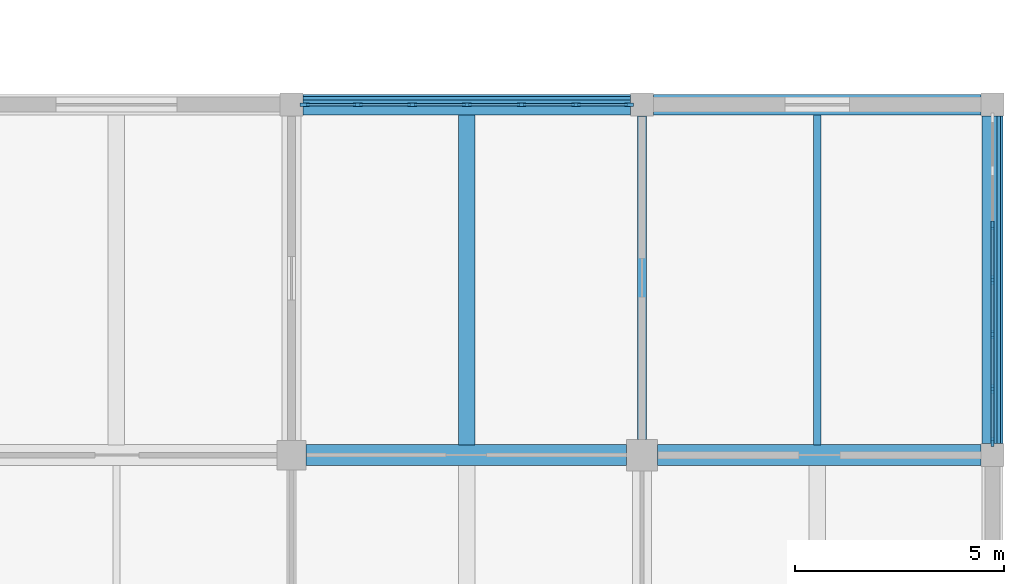
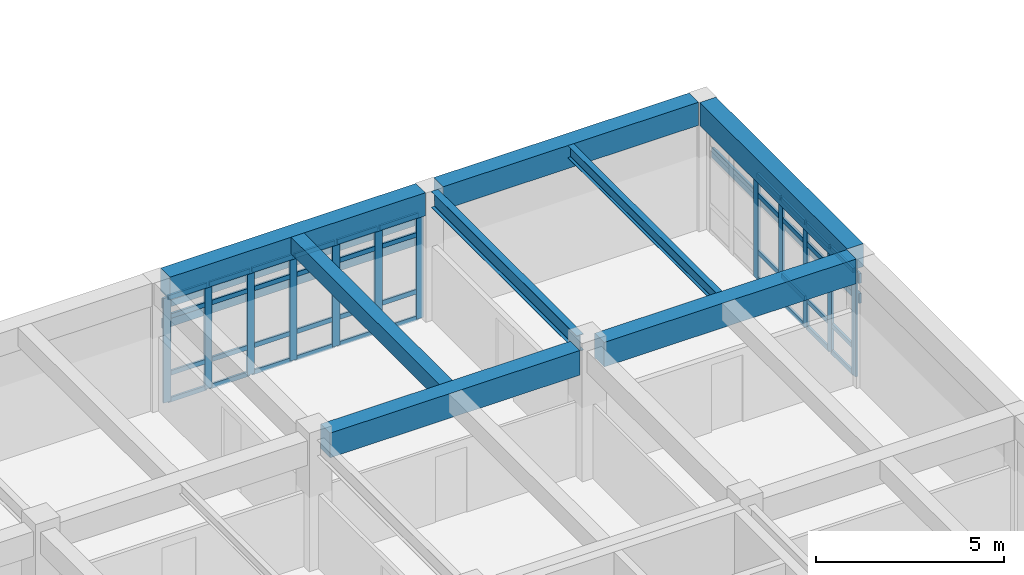
# One storey, part 51 of 99: 56 members, 8 beams, 2 elements without a shape of their own.
"""IFC4 building model written with IfcOpenShell, lengths in metres."""

from ifc_helpers import new_model, si_unit, direction, frame, origin, origin_2d, place, context, subcontext, project, spatial, rectangle, i_section, extrude, material, layer, layer_set, material_profile, profile_set, type_object, element, aggregate, save


model = new_model("IFC4")

# Units and contexts
model_context = context("Model", 3, precision=1e-05, world=origin(), true_north=direction((0.0, 1.0)))
body_context = subcontext(model_context, "Body", "Model", "MODEL_VIEW")
ifc_project = project(units=[si_unit("LENGTHUNIT", "METRE"), si_unit("AREAUNIT", "SQUARE_METRE"), si_unit("VOLUMEUNIT", "CUBIC_METRE"), si_unit("PLANEANGLEUNIT", "RADIAN"), si_unit("MASSUNIT", "GRAM", prefix="KILO")], contexts=[model_context])

# Site, building, storey
site_placement = place(None, origin())
site = spatial("IfcSite", under=ifc_project, at=site_placement, CompositionType="ELEMENT")
building_placement = place(site_placement, origin())
building = spatial("IfcBuilding", under=site, at=building_placement, Name="Porcellanite Civic Hall", CompositionType="ELEMENT")
storey_placement = place(building_placement, frame((0.0, 0.0, 5.760009765625)))
storey = spatial("IfcBuildingStorey", under=building, at=storey_placement, Name="L01", CompositionType="ELEMENT", Elevation=5.760009765625)

# Beams
ifc_material_1 = material(Name="Concrete N50 (50 MPa)", Category="concrete")
ifc_material_profile_1 = material_profile(ifc_material_1, rectangle(XDim=0.39990234375, YDim=0.550048828125, at=origin_2d()), Name="RC-400x550")
ifc_profile_set_1 = profile_set([ifc_material_profile_1], Name="Concrete N50 (50 MPa)")
beam_type_1 = type_object("IfcBeamType", Name="BM-RC550", PredefinedType="JOIST", material=ifc_profile_set_1)
beam_1_placement = place(storey_placement, frame((163.800048828125, 67.449462890625, 3.925048828125), z_axis=(0.0, 1.0, 0.0), x_axis=(-1.0, 0.0, 0.0)))
element("IfcBeam", 1, at=beam_1_placement, inside=storey, type_object=beam_type_1, Name="Secondary joist L01 20-9", PredefinedType="JOIST", context=body_context, shape_type="SweptSolid", body=[
    extrude(rectangle(XDim=0.39990234375, YDim=0.550048828125, at=origin_2d()), origin(), (0.0, 0.0, 1.0), 7.901123046875),
])
ifc_material_2 = material(Name="Concrete N50 (50 MPa)", Category="concrete")
ifc_material_profile_2 = material_profile(ifc_material_2, rectangle(XDim=0.5, YDim=0.75, at=origin_2d()), Name="RC-500x750")
ifc_profile_set_2 = profile_set([ifc_material_profile_2], Name="Concrete N50 (50 MPa)")
beam_type_2 = type_object("IfcBeamType", Name="BM-RC750", PredefinedType="SPANDREL", material=ifc_profile_set_2)
for number, where, z_axis, x_axis, name in (
    (2, (159.87451171875, 75.60009765625, 3.824951171875), (1.0, 0.0, 0.0), (0.0, 1.0, 0.0), "Beam X L01 20-10"),
    (3, (168.2744140625, 75.60009765625, 3.824951171875), (1.0, 0.0, 0.0), (0.0, 1.0, 0.0), "Beam X L01 21-10"),
):
    element("IfcBeam", number, at=place(storey_placement, frame(where, z_axis=z_axis, x_axis=x_axis)), inside=storey, type_object=beam_type_2, Name=name, PredefinedType="SPANDREL", context=body_context, shape_type="SweptSolid", body=[
        extrude(rectangle(XDim=0.5, YDim=0.75, at=origin_2d()), origin(), (0.0, 0.0, 1.0), 7.85107421875),
    ])
beam_2_placement = place(storey_placement, frame((176.39990234375, 67.474609375, 3.824951171875), z_axis=(0.0, 1.0, 0.0), x_axis=(-1.0, 0.0, 0.0)))
element("IfcBeam", 4, at=beam_2_placement, inside=storey, type_object=beam_type_2, Name="Beam Y L01 22-9", PredefinedType="SPANDREL", context=body_context, shape_type="SweptSolid", body=[
    extrude(rectangle(XDim=0.5, YDim=0.75, at=origin_2d()), origin(), (0.0, 0.0, 1.0), 7.850830078125),
])
ifc_material_3 = material(Name="Concrete N50 (50 MPa)", Category="concrete")
ifc_material_profile_3 = material_profile(ifc_material_3, rectangle(XDim=0.5, YDim=0.800048828125, at=origin_2d()), Name="RC-500x800")
ifc_profile_set_3 = profile_set([ifc_material_profile_3], Name="Concrete N50 (50 MPa)")
beam_type_3 = type_object("IfcBeamType", Name="BM-RC800", PredefinedType="BEAM", material=ifc_profile_set_3)
beam_3_placement = place(storey_placement, frame((159.949462890625, 67.199951171875, 3.800048828125), z_axis=(1.0, 0.0, 0.0), x_axis=(0.0, 1.0, 0.0)))
element("IfcBeam", 5, at=beam_3_placement, inside=storey, type_object=beam_type_3, Name="Beam X L01 20-9", PredefinedType="BEAM", context=body_context, shape_type="SweptSolid", body=[
    extrude(rectangle(XDim=0.5, YDim=0.800048828125, at=origin_2d()), origin(), (0.0, 0.0, 1.0), 7.676025390625),
])
beam_4_placement = place(storey_placement, frame((168.37451171875, 67.199951171875, 3.800048828125), z_axis=(1.0, 0.0, 0.0), x_axis=(0.0, 1.0, 0.0)))
element("IfcBeam", 6, at=beam_4_placement, inside=storey, type_object=beam_type_3, Name="Beam X L01 21-9", PredefinedType="BEAM", context=body_context, shape_type="SweptSolid", body=[
    extrude(rectangle(XDim=0.5, YDim=0.800048828125, at=origin_2d()), origin(), (0.0, 0.0, 1.0), 7.7509765625),
])

# Curtain wall, members
ifc_material_4 = material(Name="Anodised aluminium and solar laminated glass", Category="aluminium")
ifc_layer = layer(ifc_material_4, 0.179931640625)
ifc_layer_set = layer_set([ifc_layer], Name="Anodised aluminium and solar laminated glass")
curtain_wall_type = type_object("IfcCurtainWallType", Name="CW-SYS02", PredefinedType="NOTDEFINED", material=ifc_layer_set)
curtain_wall_1_placement = place(storey_placement, origin())
curtain_wall_1 = element("IfcCurtainWall", 7, at=curtain_wall_1_placement, inside=storey, type_object=curtain_wall_type, Name="Curtain wall CW-126", PredefinedType="NOTDEFINED")
ifc_material_5 = material(Name="Anodised aluminium 6063-T6", Category="aluminium")
ifc_material_profile_4 = material_profile(ifc_material_5, rectangle(XDim=0.074951171875, YDim=0.219970703125, at=origin_2d()), Name="AL-75x220")
ifc_profile_set_4 = profile_set([ifc_material_profile_4], Name="Anodised aluminium 6063-T6")
member_type_1 = type_object("IfcMemberType", Name="CWM-03", PredefinedType="MULLION", material=ifc_profile_set_4)
member_1_placement = place(storey_placement, frame((159.91357421875, 75.60009765625, 0.0), z_axis=(0.0, 0.0, 1.0), x_axis=(0.0, 1.0, 0.0)))
member_1 = element("IfcMember", 8, at=member_1_placement, type_object=member_type_1, Name="CW-126 mullion 1", PredefinedType="MULLION", context=body_context, shape_type="SweptSolid", body=[
    extrude(rectangle(XDim=0.074951171875, YDim=0.219970703125, at=origin_2d()), origin(), (0.0, 0.0, 1.0), 3.39990234375),
])
member_2_placement = place(storey_placement, frame((161.18408203125, 75.60009765625, 0.0), z_axis=(0.0, 0.0, 1.0), x_axis=(0.0, 1.0, 0.0)))
member_2 = element("IfcMember", 9, at=member_2_placement, type_object=member_type_1, Name="CW-126 mullion 2", PredefinedType="MULLION", context=body_context, shape_type="SweptSolid", body=[
    extrude(rectangle(XDim=0.074951171875, YDim=0.219970703125, at=origin_2d()), origin(), (0.0, 0.0, 1.0), 3.39990234375),
])
member_3_placement = place(storey_placement, frame((162.491943359375, 75.60009765625, 0.0), z_axis=(0.0, 0.0, 1.0), x_axis=(0.0, 1.0, 0.0)))
member_3 = element("IfcMember", 10, at=member_3_placement, type_object=member_type_1, Name="CW-126 mullion 3", PredefinedType="MULLION", context=body_context, shape_type="SweptSolid", body=[
    extrude(rectangle(XDim=0.074951171875, YDim=0.219970703125, at=origin_2d()), origin(), (0.0, 0.0, 1.0), 3.39990234375),
])
member_4_placement = place(storey_placement, frame((163.800048828125, 75.60009765625, 0.0), z_axis=(0.0, 0.0, 1.0), x_axis=(0.0, 1.0, 0.0)))
member_4 = element("IfcMember", 11, at=member_4_placement, type_object=member_type_1, Name="CW-126 mullion 4", PredefinedType="MULLION", context=body_context, shape_type="SweptSolid", body=[
    extrude(rectangle(XDim=0.074951171875, YDim=0.219970703125, at=origin_2d()), origin(), (0.0, 0.0, 1.0), 3.39990234375),
])
member_5_placement = place(storey_placement, frame((165.10791015625, 75.60009765625, 0.0), z_axis=(0.0, 0.0, 1.0), x_axis=(0.0, 1.0, 0.0)))
member_5 = element("IfcMember", 12, at=member_5_placement, type_object=member_type_1, Name="CW-126 mullion 5", PredefinedType="MULLION", context=body_context, shape_type="SweptSolid", body=[
    extrude(rectangle(XDim=0.074951171875, YDim=0.219970703125, at=origin_2d()), origin(), (0.0, 0.0, 1.0), 3.39990234375),
])
member_6_placement = place(storey_placement, frame((166.416015625, 75.60009765625, 0.0), z_axis=(0.0, 0.0, 1.0), x_axis=(0.0, 1.0, 0.0)))
member_6 = element("IfcMember", 13, at=member_6_placement, type_object=member_type_1, Name="CW-126 mullion 6", PredefinedType="MULLION", context=body_context, shape_type="SweptSolid", body=[
    extrude(rectangle(XDim=0.074951171875, YDim=0.219970703125, at=origin_2d()), origin(), (0.0, 0.0, 1.0), 3.39990234375),
])
member_7_placement = place(storey_placement, frame((167.6865234375, 75.60009765625, 0.0), z_axis=(0.0, 0.0, 1.0), x_axis=(0.0, 1.0, 0.0)))
member_7 = element("IfcMember", 14, at=member_7_placement, type_object=member_type_1, Name="CW-126 mullion 7", PredefinedType="MULLION", context=body_context, shape_type="SweptSolid", body=[
    extrude(rectangle(XDim=0.074951171875, YDim=0.219970703125, at=origin_2d()), origin(), (0.0, 0.0, 1.0), 3.39990234375),
])

curtain_wall_2_placement = place(storey_placement, origin())
curtain_wall_2 = element("IfcCurtainWall", 15, at=curtain_wall_2_placement, inside=storey, type_object=curtain_wall_type, Name="Curtain wall CW-131", PredefinedType="NOTDEFINED")
member_8_placement = place(storey_placement, frame((176.39990234375, 72.7080078125, 0.0), z_axis=(0.0, 0.0, 1.0), x_axis=(1.0, 0.0, 0.0)))
member_8 = element("IfcMember", 16, at=member_8_placement, type_object=member_type_1, Name="CW-131 mullion 3", PredefinedType="MULLION", context=body_context, shape_type="SweptSolid", body=[
    extrude(rectangle(XDim=0.074951171875, YDim=0.219970703125, at=origin_2d()), origin(), (0.0, 0.0, 1.0), 3.39990234375),
])
member_9_placement = place(storey_placement, frame((176.39990234375, 71.39990234375, 0.0), z_axis=(0.0, 0.0, 1.0), x_axis=(1.0, 0.0, 0.0)))
member_9 = element("IfcMember", 17, at=member_9_placement, type_object=member_type_1, Name="CW-131 mullion 4", PredefinedType="MULLION", context=body_context, shape_type="SweptSolid", body=[
    extrude(rectangle(XDim=0.074951171875, YDim=0.219970703125, at=origin_2d()), origin(), (0.0, 0.0, 1.0), 3.39990234375),
])
member_10_placement = place(storey_placement, frame((176.39990234375, 70.092041015625, 0.0), z_axis=(0.0, 0.0, 1.0), x_axis=(1.0, 0.0, 0.0)))
member_10 = element("IfcMember", 18, at=member_10_placement, type_object=member_type_1, Name="CW-131 mullion 5", PredefinedType="MULLION", context=body_context, shape_type="SweptSolid", body=[
    extrude(rectangle(XDim=0.074951171875, YDim=0.219970703125, at=origin_2d()), origin(), (0.0, 0.0, 1.0), 3.39990234375),
])
member_11_placement = place(storey_placement, frame((176.39990234375, 68.783935546875, 0.0), z_axis=(0.0, 0.0, 1.0), x_axis=(1.0, 0.0, 0.0)))
member_11 = element("IfcMember", 19, at=member_11_placement, type_object=member_type_1, Name="CW-131 mullion 6", PredefinedType="MULLION", context=body_context, shape_type="SweptSolid", body=[
    extrude(rectangle(XDim=0.074951171875, YDim=0.219970703125, at=origin_2d()), origin(), (0.0, 0.0, 1.0), 3.39990234375),
])
member_12_placement = place(storey_placement, frame((176.39990234375, 67.513427734375, 0.0), z_axis=(0.0, 0.0, 1.0), x_axis=(1.0, 0.0, 0.0)))
member_12 = element("IfcMember", 20, at=member_12_placement, type_object=member_type_1, Name="CW-131 mullion 7", PredefinedType="MULLION", context=body_context, shape_type="SweptSolid", body=[
    extrude(rectangle(XDim=0.074951171875, YDim=0.219970703125, at=origin_2d()), origin(), (0.0, 0.0, 1.0), 3.39990234375),
])

# Member
ifc_material_6 = material(Name="Anodised aluminium 6063-T6", Category="aluminium")
ifc_material_profile_5 = material_profile(ifc_material_6, rectangle(XDim=0.06494140625, YDim=0.14990234375, at=origin_2d()), Name="AL-65x150")
ifc_profile_set_5 = profile_set([ifc_material_profile_5], Name="Anodised aluminium 6063-T6")
member_type_2 = type_object("IfcMemberType", Name="CWT-02", PredefinedType="USERDEFINED", material=ifc_profile_set_5)
member_13_placement = place(storey_placement, frame((159.950927734375, 75.60009765625, 0.032470703125), z_axis=(1.0, 0.0, 0.0), x_axis=(0.0, 1.0, 0.0)))
member_13 = element("IfcMember", 21, at=member_13_placement, type_object=member_type_2, Name="CW-126 transom 1.1", ObjectType="TRANSOM", PredefinedType="USERDEFINED", context=body_context, shape_type="SweptSolid", body=[
    extrude(rectangle(XDim=0.06494140625, YDim=0.14990234375, at=origin_2d()), origin(), (0.0, 0.0, 1.0), 1.195556640625),
])

member_14_placement = place(storey_placement, frame((159.950927734375, 75.60009765625, 0.89990234375), z_axis=(1.0, 0.0, 0.0), x_axis=(0.0, 1.0, 0.0)))
member_14 = element("IfcMember", 22, at=member_14_placement, type_object=member_type_2, Name="CW-126 transom 1.2", ObjectType="TRANSOM", PredefinedType="USERDEFINED", context=body_context, shape_type="SweptSolid", body=[
    extrude(rectangle(XDim=0.06494140625, YDim=0.14990234375, at=origin_2d()), origin(), (0.0, 0.0, 1.0), 1.195556640625),
])

member_15_placement = place(storey_placement, frame((159.950927734375, 75.60009765625, 2.75), z_axis=(1.0, 0.0, 0.0), x_axis=(0.0, 1.0, 0.0)))
member_15 = element("IfcMember", 23, at=member_15_placement, type_object=member_type_2, Name="CW-126 transom 1.3", ObjectType="TRANSOM", PredefinedType="USERDEFINED", context=body_context, shape_type="SweptSolid", body=[
    extrude(rectangle(XDim=0.06494140625, YDim=0.14990234375, at=origin_2d()), origin(), (0.0, 0.0, 1.0), 1.195556640625),
])

member_16_placement = place(storey_placement, frame((159.950927734375, 75.60009765625, 3.367431640625), z_axis=(1.0, 0.0, 0.0), x_axis=(0.0, 1.0, 0.0)))
member_16 = element("IfcMember", 24, at=member_16_placement, type_object=member_type_2, Name="CW-126 transom 1.4", ObjectType="TRANSOM", PredefinedType="USERDEFINED", context=body_context, shape_type="SweptSolid", body=[
    extrude(rectangle(XDim=0.06494140625, YDim=0.14990234375, at=origin_2d()), origin(), (0.0, 0.0, 1.0), 1.195556640625),
])

member_17_placement = place(storey_placement, frame((161.221435546875, 75.60009765625, 0.032470703125), z_axis=(1.0, 0.0, 0.0), x_axis=(0.0, 1.0, 0.0)))
member_17 = element("IfcMember", 25, at=member_17_placement, type_object=member_type_2, Name="CW-126 transom 2.1", ObjectType="TRANSOM", PredefinedType="USERDEFINED", context=body_context, shape_type="SweptSolid", body=[
    extrude(rectangle(XDim=0.06494140625, YDim=0.14990234375, at=origin_2d()), origin(), (0.0, 0.0, 1.0), 1.233154296875),
])

member_18_placement = place(storey_placement, frame((161.221435546875, 75.60009765625, 0.89990234375), z_axis=(1.0, 0.0, 0.0), x_axis=(0.0, 1.0, 0.0)))
member_18 = element("IfcMember", 26, at=member_18_placement, type_object=member_type_2, Name="CW-126 transom 2.2", ObjectType="TRANSOM", PredefinedType="USERDEFINED", context=body_context, shape_type="SweptSolid", body=[
    extrude(rectangle(XDim=0.06494140625, YDim=0.14990234375, at=origin_2d()), origin(), (0.0, 0.0, 1.0), 1.233154296875),
])

member_19_placement = place(storey_placement, frame((161.221435546875, 75.60009765625, 2.75), z_axis=(1.0, 0.0, 0.0), x_axis=(0.0, 1.0, 0.0)))
member_19 = element("IfcMember", 27, at=member_19_placement, type_object=member_type_2, Name="CW-126 transom 2.3", ObjectType="TRANSOM", PredefinedType="USERDEFINED", context=body_context, shape_type="SweptSolid", body=[
    extrude(rectangle(XDim=0.06494140625, YDim=0.14990234375, at=origin_2d()), origin(), (0.0, 0.0, 1.0), 1.233154296875),
])

member_20_placement = place(storey_placement, frame((161.221435546875, 75.60009765625, 3.367431640625), z_axis=(1.0, 0.0, 0.0), x_axis=(0.0, 1.0, 0.0)))
member_20 = element("IfcMember", 28, at=member_20_placement, type_object=member_type_2, Name="CW-126 transom 2.4", ObjectType="TRANSOM", PredefinedType="USERDEFINED", context=body_context, shape_type="SweptSolid", body=[
    extrude(rectangle(XDim=0.06494140625, YDim=0.14990234375, at=origin_2d()), origin(), (0.0, 0.0, 1.0), 1.233154296875),
])

member_21_placement = place(storey_placement, frame((162.529541015625, 75.60009765625, 0.032470703125), z_axis=(1.0, 0.0, 0.0), x_axis=(0.0, 1.0, 0.0)))
member_21 = element("IfcMember", 29, at=member_21_placement, type_object=member_type_2, Name="CW-126 transom 3.1", ObjectType="TRANSOM", PredefinedType="USERDEFINED", context=body_context, shape_type="SweptSolid", body=[
    extrude(rectangle(XDim=0.06494140625, YDim=0.14990234375, at=origin_2d()), origin(), (0.0, 0.0, 1.0), 1.23291015625),
])

member_22_placement = place(storey_placement, frame((162.529541015625, 75.60009765625, 0.89990234375), z_axis=(1.0, 0.0, 0.0), x_axis=(0.0, 1.0, 0.0)))
member_22 = element("IfcMember", 30, at=member_22_placement, type_object=member_type_2, Name="CW-126 transom 3.2", ObjectType="TRANSOM", PredefinedType="USERDEFINED", context=body_context, shape_type="SweptSolid", body=[
    extrude(rectangle(XDim=0.06494140625, YDim=0.14990234375, at=origin_2d()), origin(), (0.0, 0.0, 1.0), 1.23291015625),
])

member_23_placement = place(storey_placement, frame((162.529541015625, 75.60009765625, 2.75), z_axis=(1.0, 0.0, 0.0), x_axis=(0.0, 1.0, 0.0)))
member_23 = element("IfcMember", 31, at=member_23_placement, type_object=member_type_2, Name="CW-126 transom 3.3", ObjectType="TRANSOM", PredefinedType="USERDEFINED", context=body_context, shape_type="SweptSolid", body=[
    extrude(rectangle(XDim=0.06494140625, YDim=0.14990234375, at=origin_2d()), origin(), (0.0, 0.0, 1.0), 1.23291015625),
])

member_24_placement = place(storey_placement, frame((162.529541015625, 75.60009765625, 3.367431640625), z_axis=(1.0, 0.0, 0.0), x_axis=(0.0, 1.0, 0.0)))
member_24 = element("IfcMember", 32, at=member_24_placement, type_object=member_type_2, Name="CW-126 transom 3.4", ObjectType="TRANSOM", PredefinedType="USERDEFINED", context=body_context, shape_type="SweptSolid", body=[
    extrude(rectangle(XDim=0.06494140625, YDim=0.14990234375, at=origin_2d()), origin(), (0.0, 0.0, 1.0), 1.23291015625),
])

member_25_placement = place(storey_placement, frame((163.83740234375, 75.60009765625, 0.032470703125), z_axis=(1.0, 0.0, 0.0), x_axis=(0.0, 1.0, 0.0)))
member_25 = element("IfcMember", 33, at=member_25_placement, type_object=member_type_2, Name="CW-126 transom 4.1", ObjectType="TRANSOM", PredefinedType="USERDEFINED", context=body_context, shape_type="SweptSolid", body=[
    extrude(rectangle(XDim=0.06494140625, YDim=0.14990234375, at=origin_2d()), origin(), (0.0, 0.0, 1.0), 1.233154296875),
])

member_26_placement = place(storey_placement, frame((163.83740234375, 75.60009765625, 0.89990234375), z_axis=(1.0, 0.0, 0.0), x_axis=(0.0, 1.0, 0.0)))
member_26 = element("IfcMember", 34, at=member_26_placement, type_object=member_type_2, Name="CW-126 transom 4.2", ObjectType="TRANSOM", PredefinedType="USERDEFINED", context=body_context, shape_type="SweptSolid", body=[
    extrude(rectangle(XDim=0.06494140625, YDim=0.14990234375, at=origin_2d()), origin(), (0.0, 0.0, 1.0), 1.233154296875),
])

member_27_placement = place(storey_placement, frame((163.83740234375, 75.60009765625, 2.75), z_axis=(1.0, 0.0, 0.0), x_axis=(0.0, 1.0, 0.0)))
member_27 = element("IfcMember", 35, at=member_27_placement, type_object=member_type_2, Name="CW-126 transom 4.3", ObjectType="TRANSOM", PredefinedType="USERDEFINED", context=body_context, shape_type="SweptSolid", body=[
    extrude(rectangle(XDim=0.06494140625, YDim=0.14990234375, at=origin_2d()), origin(), (0.0, 0.0, 1.0), 1.233154296875),
])

member_28_placement = place(storey_placement, frame((163.83740234375, 75.60009765625, 3.367431640625), z_axis=(1.0, 0.0, 0.0), x_axis=(0.0, 1.0, 0.0)))
member_28 = element("IfcMember", 36, at=member_28_placement, type_object=member_type_2, Name="CW-126 transom 4.4", ObjectType="TRANSOM", PredefinedType="USERDEFINED", context=body_context, shape_type="SweptSolid", body=[
    extrude(rectangle(XDim=0.06494140625, YDim=0.14990234375, at=origin_2d()), origin(), (0.0, 0.0, 1.0), 1.233154296875),
])

member_29_placement = place(storey_placement, frame((165.1455078125, 75.60009765625, 0.032470703125), z_axis=(1.0, 0.0, 0.0), x_axis=(0.0, 1.0, 0.0)))
member_29 = element("IfcMember", 37, at=member_29_placement, type_object=member_type_2, Name="CW-126 transom 5.1", ObjectType="TRANSOM", PredefinedType="USERDEFINED", context=body_context, shape_type="SweptSolid", body=[
    extrude(rectangle(XDim=0.06494140625, YDim=0.14990234375, at=origin_2d()), origin(), (0.0, 0.0, 1.0), 1.23291015625),
])

member_30_placement = place(storey_placement, frame((165.1455078125, 75.60009765625, 0.89990234375), z_axis=(1.0, 0.0, 0.0), x_axis=(0.0, 1.0, 0.0)))
member_30 = element("IfcMember", 38, at=member_30_placement, type_object=member_type_2, Name="CW-126 transom 5.2", ObjectType="TRANSOM", PredefinedType="USERDEFINED", context=body_context, shape_type="SweptSolid", body=[
    extrude(rectangle(XDim=0.06494140625, YDim=0.14990234375, at=origin_2d()), origin(), (0.0, 0.0, 1.0), 1.23291015625),
])

member_31_placement = place(storey_placement, frame((165.1455078125, 75.60009765625, 2.75), z_axis=(1.0, 0.0, 0.0), x_axis=(0.0, 1.0, 0.0)))
member_31 = element("IfcMember", 39, at=member_31_placement, type_object=member_type_2, Name="CW-126 transom 5.3", ObjectType="TRANSOM", PredefinedType="USERDEFINED", context=body_context, shape_type="SweptSolid", body=[
    extrude(rectangle(XDim=0.06494140625, YDim=0.14990234375, at=origin_2d()), origin(), (0.0, 0.0, 1.0), 1.23291015625),
])

member_32_placement = place(storey_placement, frame((165.1455078125, 75.60009765625, 3.367431640625), z_axis=(1.0, 0.0, 0.0), x_axis=(0.0, 1.0, 0.0)))
member_32 = element("IfcMember", 40, at=member_32_placement, type_object=member_type_2, Name="CW-126 transom 5.4", ObjectType="TRANSOM", PredefinedType="USERDEFINED", context=body_context, shape_type="SweptSolid", body=[
    extrude(rectangle(XDim=0.06494140625, YDim=0.14990234375, at=origin_2d()), origin(), (0.0, 0.0, 1.0), 1.23291015625),
])

member_33_placement = place(storey_placement, frame((166.45361328125, 75.60009765625, 0.032470703125), z_axis=(1.0, 0.0, 0.0), x_axis=(0.0, 1.0, 0.0)))
member_33 = element("IfcMember", 41, at=member_33_placement, type_object=member_type_2, Name="CW-126 transom 6.1", ObjectType="TRANSOM", PredefinedType="USERDEFINED", context=body_context, shape_type="SweptSolid", body=[
    extrude(rectangle(XDim=0.06494140625, YDim=0.14990234375, at=origin_2d()), origin(), (0.0, 0.0, 1.0), 1.1953125),
])

member_34_placement = place(storey_placement, frame((166.45361328125, 75.60009765625, 0.89990234375), z_axis=(1.0, 0.0, 0.0), x_axis=(0.0, 1.0, 0.0)))
member_34 = element("IfcMember", 42, at=member_34_placement, type_object=member_type_2, Name="CW-126 transom 6.2", ObjectType="TRANSOM", PredefinedType="USERDEFINED", context=body_context, shape_type="SweptSolid", body=[
    extrude(rectangle(XDim=0.06494140625, YDim=0.14990234375, at=origin_2d()), origin(), (0.0, 0.0, 1.0), 1.1953125),
])

member_35_placement = place(storey_placement, frame((166.45361328125, 75.60009765625, 2.75), z_axis=(1.0, 0.0, 0.0), x_axis=(0.0, 1.0, 0.0)))
member_35 = element("IfcMember", 43, at=member_35_placement, type_object=member_type_2, Name="CW-126 transom 6.3", ObjectType="TRANSOM", PredefinedType="USERDEFINED", context=body_context, shape_type="SweptSolid", body=[
    extrude(rectangle(XDim=0.06494140625, YDim=0.14990234375, at=origin_2d()), origin(), (0.0, 0.0, 1.0), 1.1953125),
])

member_36_placement = place(storey_placement, frame((166.45361328125, 75.60009765625, 3.367431640625), z_axis=(1.0, 0.0, 0.0), x_axis=(0.0, 1.0, 0.0)))
member_36 = element("IfcMember", 44, at=member_36_placement, type_object=member_type_2, Name="CW-126 transom 6.4", ObjectType="TRANSOM", PredefinedType="USERDEFINED", context=body_context, shape_type="SweptSolid", body=[
    extrude(rectangle(XDim=0.06494140625, YDim=0.14990234375, at=origin_2d()), origin(), (0.0, 0.0, 1.0), 1.1953125),
])

aggregate(curtain_wall_1, [member_1, member_2, member_3, member_4, member_5, member_6, member_7, member_13, member_14, member_15, member_16, member_17, member_18, member_19, member_20, member_21, member_22, member_23, member_24, member_25, member_26, member_27, member_28, member_29, member_30, member_31, member_32, member_33, member_34, member_35, member_36])

member_37_placement = place(storey_placement, frame((176.39990234375, 72.67041015625, 0.032470703125), z_axis=(0.0, -1.0, 0.0), x_axis=(1.0, 0.0, 0.0)))
member_37 = element("IfcMember", 45, at=member_37_placement, type_object=member_type_2, Name="CW-131 transom 3.1", ObjectType="TRANSOM", PredefinedType="USERDEFINED", context=body_context, shape_type="SweptSolid", body=[
    extrude(rectangle(XDim=0.06494140625, YDim=0.14990234375, at=origin_2d()), origin(), (0.0, 0.0, 1.0), 1.23291015625),
])

member_38_placement = place(storey_placement, frame((176.39990234375, 72.67041015625, 0.89990234375), z_axis=(0.0, -1.0, 0.0), x_axis=(1.0, 0.0, 0.0)))
member_38 = element("IfcMember", 46, at=member_38_placement, type_object=member_type_2, Name="CW-131 transom 3.2", ObjectType="TRANSOM", PredefinedType="USERDEFINED", context=body_context, shape_type="SweptSolid", body=[
    extrude(rectangle(XDim=0.06494140625, YDim=0.14990234375, at=origin_2d()), origin(), (0.0, 0.0, 1.0), 1.23291015625),
])

member_39_placement = place(storey_placement, frame((176.39990234375, 72.67041015625, 2.75), z_axis=(0.0, -1.0, 0.0), x_axis=(1.0, 0.0, 0.0)))
member_39 = element("IfcMember", 47, at=member_39_placement, type_object=member_type_2, Name="CW-131 transom 3.3", ObjectType="TRANSOM", PredefinedType="USERDEFINED", context=body_context, shape_type="SweptSolid", body=[
    extrude(rectangle(XDim=0.06494140625, YDim=0.14990234375, at=origin_2d()), origin(), (0.0, 0.0, 1.0), 1.23291015625),
])

member_40_placement = place(storey_placement, frame((176.39990234375, 72.67041015625, 3.367431640625), z_axis=(0.0, -1.0, 0.0), x_axis=(1.0, 0.0, 0.0)))
member_40 = element("IfcMember", 48, at=member_40_placement, type_object=member_type_2, Name="CW-131 transom 3.4", ObjectType="TRANSOM", PredefinedType="USERDEFINED", context=body_context, shape_type="SweptSolid", body=[
    extrude(rectangle(XDim=0.06494140625, YDim=0.14990234375, at=origin_2d()), origin(), (0.0, 0.0, 1.0), 1.23291015625),
])

member_41_placement = place(storey_placement, frame((176.39990234375, 71.362548828125, 0.032470703125), z_axis=(0.0, -1.0, 0.0), x_axis=(1.0, 0.0, 0.0)))
member_41 = element("IfcMember", 49, at=member_41_placement, type_object=member_type_2, Name="CW-131 transom 4.1", ObjectType="TRANSOM", PredefinedType="USERDEFINED", context=body_context, shape_type="SweptSolid", body=[
    extrude(rectangle(XDim=0.06494140625, YDim=0.14990234375, at=origin_2d()), origin(), (0.0, 0.0, 1.0), 1.233154296875),
])

member_42_placement = place(storey_placement, frame((176.39990234375, 71.362548828125, 0.89990234375), z_axis=(0.0, -1.0, 0.0), x_axis=(1.0, 0.0, 0.0)))
member_42 = element("IfcMember", 50, at=member_42_placement, type_object=member_type_2, Name="CW-131 transom 4.2", ObjectType="TRANSOM", PredefinedType="USERDEFINED", context=body_context, shape_type="SweptSolid", body=[
    extrude(rectangle(XDim=0.06494140625, YDim=0.14990234375, at=origin_2d()), origin(), (0.0, 0.0, 1.0), 1.233154296875),
])

member_43_placement = place(storey_placement, frame((176.39990234375, 71.362548828125, 2.75), z_axis=(0.0, -1.0, 0.0), x_axis=(1.0, 0.0, 0.0)))
member_43 = element("IfcMember", 51, at=member_43_placement, type_object=member_type_2, Name="CW-131 transom 4.3", ObjectType="TRANSOM", PredefinedType="USERDEFINED", context=body_context, shape_type="SweptSolid", body=[
    extrude(rectangle(XDim=0.06494140625, YDim=0.14990234375, at=origin_2d()), origin(), (0.0, 0.0, 1.0), 1.233154296875),
])

member_44_placement = place(storey_placement, frame((176.39990234375, 71.362548828125, 3.367431640625), z_axis=(0.0, -1.0, 0.0), x_axis=(1.0, 0.0, 0.0)))
member_44 = element("IfcMember", 52, at=member_44_placement, type_object=member_type_2, Name="CW-131 transom 4.4", ObjectType="TRANSOM", PredefinedType="USERDEFINED", context=body_context, shape_type="SweptSolid", body=[
    extrude(rectangle(XDim=0.06494140625, YDim=0.14990234375, at=origin_2d()), origin(), (0.0, 0.0, 1.0), 1.233154296875),
])

member_45_placement = place(storey_placement, frame((176.39990234375, 70.054443359375, 0.032470703125), z_axis=(0.0, -1.0, 0.0), x_axis=(1.0, 0.0, 0.0)))
member_45 = element("IfcMember", 53, at=member_45_placement, type_object=member_type_2, Name="CW-131 transom 5.1", ObjectType="TRANSOM", PredefinedType="USERDEFINED", context=body_context, shape_type="SweptSolid", body=[
    extrude(rectangle(XDim=0.06494140625, YDim=0.14990234375, at=origin_2d()), origin(), (0.0, 0.0, 1.0), 1.23291015625),
])

member_46_placement = place(storey_placement, frame((176.39990234375, 70.054443359375, 0.89990234375), z_axis=(0.0, -1.0, 0.0), x_axis=(1.0, 0.0, 0.0)))
member_46 = element("IfcMember", 54, at=member_46_placement, type_object=member_type_2, Name="CW-131 transom 5.2", ObjectType="TRANSOM", PredefinedType="USERDEFINED", context=body_context, shape_type="SweptSolid", body=[
    extrude(rectangle(XDim=0.06494140625, YDim=0.14990234375, at=origin_2d()), origin(), (0.0, 0.0, 1.0), 1.23291015625),
])

member_47_placement = place(storey_placement, frame((176.39990234375, 70.054443359375, 2.75), z_axis=(0.0, -1.0, 0.0), x_axis=(1.0, 0.0, 0.0)))
member_47 = element("IfcMember", 55, at=member_47_placement, type_object=member_type_2, Name="CW-131 transom 5.3", ObjectType="TRANSOM", PredefinedType="USERDEFINED", context=body_context, shape_type="SweptSolid", body=[
    extrude(rectangle(XDim=0.06494140625, YDim=0.14990234375, at=origin_2d()), origin(), (0.0, 0.0, 1.0), 1.23291015625),
])

member_48_placement = place(storey_placement, frame((176.39990234375, 70.054443359375, 3.367431640625), z_axis=(0.0, -1.0, 0.0), x_axis=(1.0, 0.0, 0.0)))
member_48 = element("IfcMember", 56, at=member_48_placement, type_object=member_type_2, Name="CW-131 transom 5.4", ObjectType="TRANSOM", PredefinedType="USERDEFINED", context=body_context, shape_type="SweptSolid", body=[
    extrude(rectangle(XDim=0.06494140625, YDim=0.14990234375, at=origin_2d()), origin(), (0.0, 0.0, 1.0), 1.23291015625),
])

member_49_placement = place(storey_placement, frame((176.39990234375, 68.74658203125, 0.032470703125), z_axis=(0.0, -1.0, 0.0), x_axis=(1.0, 0.0, 0.0)))
member_49 = element("IfcMember", 57, at=member_49_placement, type_object=member_type_2, Name="CW-131 transom 6.1", ObjectType="TRANSOM", PredefinedType="USERDEFINED", context=body_context, shape_type="SweptSolid", body=[
    extrude(rectangle(XDim=0.06494140625, YDim=0.14990234375, at=origin_2d()), origin(), (0.0, 0.0, 1.0), 1.195556640625),
])

member_50_placement = place(storey_placement, frame((176.39990234375, 68.74658203125, 0.89990234375), z_axis=(0.0, -1.0, 0.0), x_axis=(1.0, 0.0, 0.0)))
member_50 = element("IfcMember", 58, at=member_50_placement, type_object=member_type_2, Name="CW-131 transom 6.2", ObjectType="TRANSOM", PredefinedType="USERDEFINED", context=body_context, shape_type="SweptSolid", body=[
    extrude(rectangle(XDim=0.06494140625, YDim=0.14990234375, at=origin_2d()), origin(), (0.0, 0.0, 1.0), 1.195556640625),
])

member_51_placement = place(storey_placement, frame((176.39990234375, 68.74658203125, 2.75), z_axis=(0.0, -1.0, 0.0), x_axis=(1.0, 0.0, 0.0)))
member_51 = element("IfcMember", 59, at=member_51_placement, type_object=member_type_2, Name="CW-131 transom 6.3", ObjectType="TRANSOM", PredefinedType="USERDEFINED", context=body_context, shape_type="SweptSolid", body=[
    extrude(rectangle(XDim=0.06494140625, YDim=0.14990234375, at=origin_2d()), origin(), (0.0, 0.0, 1.0), 1.195556640625),
])

member_52_placement = place(storey_placement, frame((176.39990234375, 68.74658203125, 3.367431640625), z_axis=(0.0, -1.0, 0.0), x_axis=(1.0, 0.0, 0.0)))
member_52 = element("IfcMember", 60, at=member_52_placement, type_object=member_type_2, Name="CW-131 transom 6.4", ObjectType="TRANSOM", PredefinedType="USERDEFINED", context=body_context, shape_type="SweptSolid", body=[
    extrude(rectangle(XDim=0.06494140625, YDim=0.14990234375, at=origin_2d()), origin(), (0.0, 0.0, 1.0), 1.195556640625),
])

aggregate(curtain_wall_2, [member_8, member_9, member_10, member_11, member_12, member_37, member_38, member_39, member_40, member_41, member_42, member_43, member_44, member_45, member_46, member_47, member_48, member_49, member_50, member_51, member_52])

# Beam
ifc_material_7 = material(Name="Steel Grade 350", Category="steel")
ifc_material_profile_6 = material_profile(ifc_material_7, i_section(OverallWidth=0.177978515625, OverallDepth=0.406005859375, WebThickness=0.0078125, FlangeThickness=0.0126953125, FilletRadius=0.011474609375, at=origin_2d()), Name="410UB59.7")
ifc_profile_set_6 = profile_set([ifc_material_profile_6], Name="Steel Grade 350")
beam_type_4 = type_object("IfcBeamType", Name="JST-410UB60", PredefinedType="JOIST", material=ifc_profile_set_6)
beam_5_placement = place(storey_placement, frame((172.199951171875, 67.449462890625, 3.9970703125), z_axis=(0.0, 1.0, 0.0), x_axis=(-1.0, 0.0, 0.0)))
element("IfcBeam", 61, at=beam_5_placement, inside=storey, type_object=beam_type_4, Name="Secondary joist L01 21-9", PredefinedType="JOIST", context=body_context, shape_type="SweptSolid", body=[
    extrude(i_section(OverallWidth=0.177978515625, OverallDepth=0.406005859375, WebThickness=0.0078125, FlangeThickness=0.0126953125, FilletRadius=0.011474609375, at=origin_2d()), origin(), (0.0, 0.0, 1.0), 7.901123046875),
])

# Members
ifc_material_8 = material(Name="Fluoropolymer bauxite-red aluminium 6063-T6", Category="aluminium")
ifc_material_profile_7 = material_profile(ifc_material_8, rectangle(XDim=0.080078125, YDim=0.320068359375, at=origin_2d()), Name="AL-80x320")
ifc_profile_set_7 = profile_set([ifc_material_profile_7], Name="Fluoropolymer bauxite-red aluminium 6063-T6")
member_type_3 = type_object("IfcMemberType", Name="LV-BLD03", PredefinedType="USERDEFINED", material=ifc_profile_set_7)
for number, where, z_axis, x_axis, name in (
    (62, (159.87451171875, 75.751953125, 3.10009765625), (1.0, 0.0, 0.0), (0.0, 1.0, 0.0), "Cyclone sunshade louvre L01 N 19-8 1"),
    (63, (159.87451171875, 75.751953125, 2.449951171875), (1.0, 0.0, 0.0), (0.0, 1.0, 0.0), "Cyclone sunshade louvre L01 N 19-8 2"),
):
    element("IfcMember", number, at=place(storey_placement, frame(where, z_axis=z_axis, x_axis=x_axis)), inside=storey, type_object=member_type_3, Name=name, ObjectType="LOUVRE BLADE", PredefinedType="USERDEFINED", context=body_context, shape_type="SweptSolid", body=[
        extrude(rectangle(XDim=0.080078125, YDim=0.320068359375, at=origin_2d()), origin(), (0.0, 0.0, 1.0), 7.85107421875),
    ])
for number, where, z_axis, x_axis, name in (
    (64, (176.552001953125, 75.325439453125, 3.10009765625), (0.0, -1.0, 0.0), (1.0, 0.0, 0.0), "Cyclone sunshade louvre L01 E 20-8 1"),
    (65, (176.552001953125, 75.325439453125, 2.449951171875), (0.0, -1.0, 0.0), (1.0, 0.0, 0.0), "Cyclone sunshade louvre L01 E 20-8 2"),
):
    element("IfcMember", number, at=place(storey_placement, frame(where, z_axis=z_axis, x_axis=x_axis)), inside=storey, type_object=member_type_3, Name=name, ObjectType="LOUVRE BLADE", PredefinedType="USERDEFINED", context=body_context, shape_type="SweptSolid", body=[
        extrude(rectangle(XDim=0.080078125, YDim=0.320068359375, at=origin_2d()), origin(), (0.0, 0.0, 1.0), 7.850830078125),
    ])

# Beam
ifc_material_9 = material(Name="Steel Grade 350", Category="steel")
ifc_material_profile_8 = material_profile(ifc_material_9, i_section(OverallWidth=0.208984375, OverallDepth=0.528076171875, WebThickness=0.009521484375, FlangeThickness=0.01318359375, FilletRadius=0.013916015625, at=origin_2d()), Name="530UB82.0")
ifc_profile_set_8 = profile_set([ifc_material_profile_8], Name="Steel Grade 350")
beam_type_5 = type_object("IfcBeamType", Name="RAF-530UB82", PredefinedType="BEAM", material=ifc_profile_set_8)
beam_6_placement = place(storey_placement, frame((168.0, 67.574462890625, 3.93603515625), z_axis=(0.0, 1.0, 0.0), x_axis=(-1.0, 0.0, 0.0)))
element("IfcBeam", 66, at=beam_6_placement, inside=storey, type_object=beam_type_5, Name="Beam Y L01 21-9", PredefinedType="BEAM", context=body_context, shape_type="SweptSolid", body=[
    extrude(i_section(OverallWidth=0.208984375, OverallDepth=0.528076171875, WebThickness=0.009521484375, FlangeThickness=0.01318359375, FilletRadius=0.013916015625, at=origin_2d()), origin(), (0.0, 0.0, 1.0), 7.7509765625),
])

save(model, "model.ifc")
